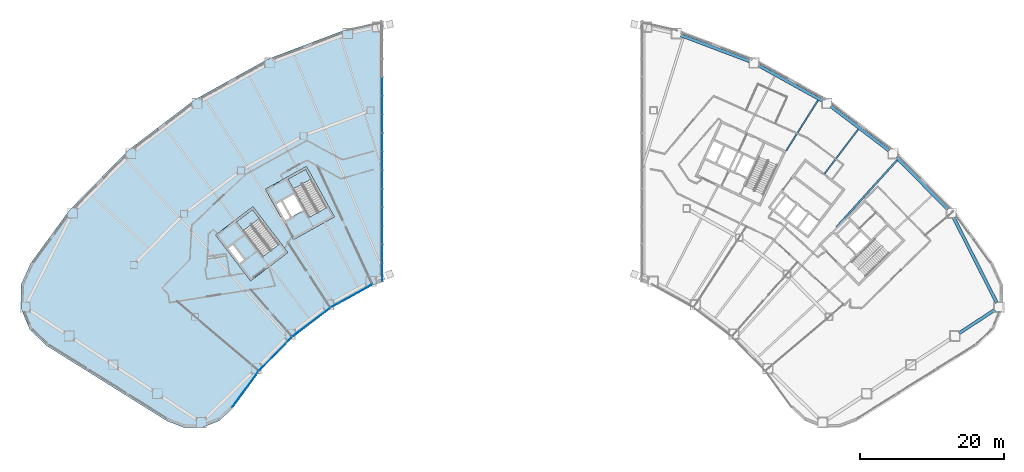
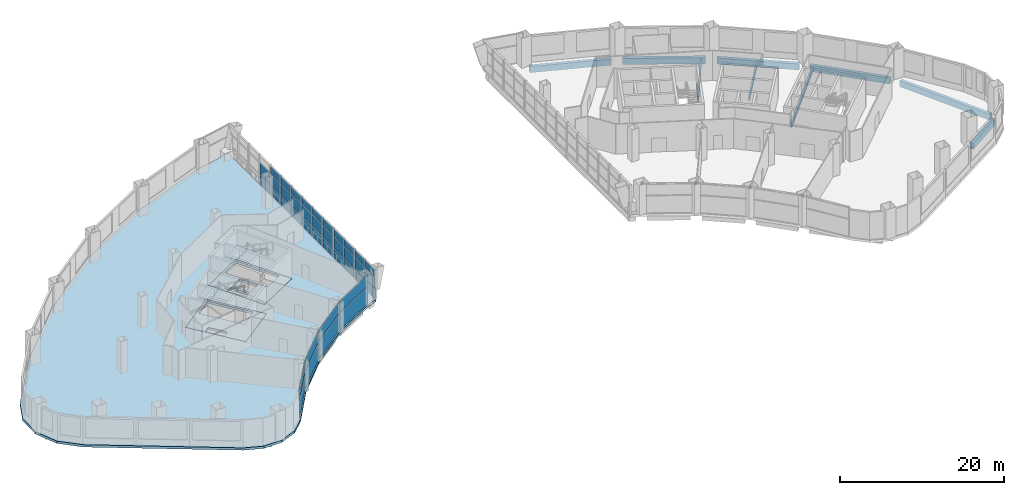
# One storey, part 16 of 26: 40 plates, 9 beams, 5 slabs, 12 elements without a shape of their own.
"""IFC4 building model written with IfcOpenShell, lengths in metres."""

import ifcopenshell
import ifcopenshell.guid

model = None  # the IFC model being written
_history = None  # IfcOwnerHistory: only IFC2X3 demands one
_inside = {}  # id of a spatial element -> (the spatial element, [elements in it])
_under = {}  # id of a project, library or spatial element -> (it, [spatial elements below it])
_declared = {}  # id of a project -> (the project, [libraries it declares])
_typed = {}  # id of a type object -> (the type object, [elements of that type])
_made_of = {}  # id of a material, layer set ... -> (it, [elements and type objects made of it])


def new_model(schema):
    """Start an empty IFC model of exactly this schema.

    Asked for "IFC4X3", IfcOpenShell would pick the latest addendum, in which some entities
    have other attributes; the version numbers below select the first issue.
    IFC2X3 requires an IfcOwnerHistory on every rooted entity: one is made here for all.
    """
    global model, _history
    if schema == "IFC4X3":
        model = ifcopenshell.file(schema_version=(4, 3, 0, 0))
    else:
        model = ifcopenshell.file(schema=schema)
    _inside.clear()
    _under.clear()
    _declared.clear()
    _typed.clear()
    _made_of.clear()
    _history = None
    if model.schema == "IFC2X3":
        org = make("IfcOrganization", Name="unknown")
        user = make(
            "IfcPersonAndOrganization",
            ThePerson=make("IfcPerson", FamilyName="unknown"),
            TheOrganization=org,
        )
        app = make(
            "IfcApplication",
            ApplicationDeveloper=org,
            Version="unknown",
            ApplicationFullName="unknown",
            ApplicationIdentifier="unknown",
        )
        _history = make(
            "IfcOwnerHistory",
            OwningUser=user,
            OwningApplication=app,
            ChangeAction="ADDED",
            CreationDate=0,
        )
    return model


def make(cls, **values):
    """One entity of the class cls with the attributes given. An attribute that is None is left unset."""
    return model.create_entity(
        cls, **{name: value for name, value in values.items() if value is not None}
    )


def rooted(cls, **values):
    """An entity with a GlobalId (a new one), such as an element, a storey or a relation."""
    return make(cls, GlobalId=ifcopenshell.guid.new(), OwnerHistory=_history, **values)


def si_unit(unit_type, name, prefix=None):
    """IfcSIUnit, for example si_unit("LENGTHUNIT", "METRE", prefix="MILLI")."""
    return make("IfcSIUnit", UnitType=unit_type, Prefix=prefix, Name=name)


def assignment(units):
    """IfcUnitAssignment: the units of a project."""
    return None if units is None else make("IfcUnitAssignment", Units=units)


def point(xyz):
    """IfcCartesianPoint."""
    return None if xyz is None else make("IfcCartesianPoint", Coordinates=xyz)


def direction(xyz):
    """IfcDirection."""
    return None if xyz is None else make("IfcDirection", DirectionRatios=xyz)


def frame(location, z_axis=None, x_axis=None):
    """IfcAxis2Placement3D, a coordinate frame: its origin and axes. An axis left out is left unset."""
    return make(
        "IfcAxis2Placement3D",
        Location=point(location),
        Axis=direction(z_axis),
        RefDirection=direction(x_axis),
    )


def frame_2d(location, x_axis=None):
    """IfcAxis2Placement2D, a coordinate frame in the plane: its origin and x axis."""
    return make(
        "IfcAxis2Placement2D", Location=point(location), RefDirection=direction(x_axis)
    )


def origin():
    """The frame at (0, 0, 0) with its axes left unset."""
    return frame((0.0, 0.0, 0.0))


def origin_2d():
    """The frame at (0, 0) in the plane with its x axis left unset."""
    return frame_2d((0.0, 0.0))


def place(relative_to, where):
    """IfcLocalPlacement: puts the frame where relative to a parent placement (None: the world)."""
    return make(
        "IfcLocalPlacement", PlacementRelTo=relative_to, RelativePlacement=where
    )


def context(
    kind, dimensions, precision=None, world=None, true_north=None, identifier=None
):
    """IfcGeometricRepresentationContext, for example the 3D "Model" context."""
    return make(
        "IfcGeometricRepresentationContext",
        ContextIdentifier=identifier,
        ContextType=kind,
        CoordinateSpaceDimension=dimensions,
        Precision=precision,
        WorldCoordinateSystem=world,
        TrueNorth=true_north,
    )


def subcontext(parent, identifier, kind, view, scale=None):
    """IfcGeometricRepresentationSubContext, for example "Body" below "Model"."""
    return make(
        "IfcGeometricRepresentationSubContext",
        ContextIdentifier=identifier,
        ContextType=kind,
        ParentContext=parent,
        TargetScale=scale,
        TargetView=view,
    )


def project(units=None, contexts=None):
    """IfcProject with its units and contexts."""
    return rooted(
        "IfcProject",
        Name="project",
        RepresentationContexts=contexts,
        UnitsInContext=assignment(units),
    )


def spatial(cls, under=None, at=None, **own):
    """A site, building, storey or space (cls), placed at a placement, below another one or the project."""
    s = rooted(cls, ObjectPlacement=at, **own)
    if under is not None:
        _under.setdefault(under.id(), (under, []))[1].append(s)
    return s


def polyline(points):
    """IfcPolyline through the points."""
    return make("IfcPolyline", Points=[point(p) for p in points])


def profile(cls, at=None, kind="AREA", **sizes):
    """A parametric profile (cls). Its sizes go by their IFC names, for example OverallWidth=200.0."""
    return make(cls, ProfileType=kind, Position=at, **sizes)


def rectangle(**sizes):
    """IfcRectangleProfileDef."""
    return profile("IfcRectangleProfileDef", **sizes)


def hollow_rectangle(**sizes):
    """IfcRectangleHollowProfileDef."""
    return profile("IfcRectangleHollowProfileDef", **sizes)


def i_section(**sizes):
    """IfcIShapeProfileDef."""
    return profile("IfcIShapeProfileDef", **sizes)


def outline(outer, holes=None, kind="AREA"):
    """IfcArbitraryClosedProfileDef: a profile drawn as a closed curve; with holes, ...WithVoids."""
    if holes is None:
        return make("IfcArbitraryClosedProfileDef", ProfileType=kind, OuterCurve=outer)
    return make(
        "IfcArbitraryProfileDefWithVoids",
        ProfileType=kind,
        OuterCurve=outer,
        InnerCurves=holes,
    )


def extrude(swept, where, along, depth):
    """IfcExtrudedAreaSolid: the profile swept, set in the frame where, extruded along a direction by depth."""
    return make(
        "IfcExtrudedAreaSolid",
        SweptArea=swept,
        Position=where,
        ExtrudedDirection=direction(along),
        Depth=depth,
    )


def shape(context_of_items, identifier, shape_type, items):
    """IfcShapeRepresentation: the items that make up one representation, for example the "Body"."""
    return make(
        "IfcShapeRepresentation",
        ContextOfItems=context_of_items,
        RepresentationIdentifier=identifier,
        RepresentationType=shape_type,
        Items=items,
    )


def material(Name=None, Category=None):
    """IfcMaterial."""
    return make("IfcMaterial", Name=Name, Category=Category)


def layer(
    of_material, thickness, ventilated=None, Name=None, Category=None, Priority=None
):
    """IfcMaterialLayer: one layer of a wall or slab, of a material (None: an air gap)."""
    return make(
        "IfcMaterialLayer",
        Material=of_material,
        LayerThickness=thickness,
        IsVentilated=ventilated,
        Name=Name,
        Category=Category,
        Priority=Priority,
    )


def layer_set(layers, Name=None):
    """IfcMaterialLayerSet."""
    return make("IfcMaterialLayerSet", MaterialLayers=layers, LayerSetName=Name)


def material_profile(
    of_material, cross_section, Name=None, Category=None, Priority=None
):
    """IfcMaterialProfile: a cross section and its material."""
    return make(
        "IfcMaterialProfile",
        Name=Name,
        Material=of_material,
        Profile=cross_section,
        Priority=Priority,
        Category=Category,
    )


def profile_set(profiles, Name=None, composite=None):
    """IfcMaterialProfileSet."""
    return make(
        "IfcMaterialProfileSet",
        Name=Name,
        MaterialProfiles=profiles,
        CompositeProfile=composite,
    )


def made_of(thing, what):
    """Note that an element or type object is made of a material, layer set ...; save() writes the relation."""
    if what is not None:
        _made_of.setdefault(what.id(), (what, []))[1].append(thing)
    return thing


def type_object(cls, material=None, **own):
    """A type object (cls), such as IfcWallType, which elements share."""
    return made_of(rooted(cls, **own), material)


def element(
    cls,
    number,
    at=None,
    inside=None,
    cuts=None,
    type_object=None,
    material=None,
    context=None,
    identifier="Body",
    shape_type=None,
    held_by="IfcProductDefinitionShape",
    body=None,
    shapes=None,
    **own,
):
    """One element of the class cls, such as IfcWall. Its Tag is "e" and its number.

    at: its placement. inside: the storey or other place that contains it. cuts: it is an
    opening in that element (IfcRelVoidsElement). A single representation is given by context,
    identifier, shape_type and body (its items); several are given by shapes. held_by: the class
    of the entity that holds the representations. save() writes the other relations.
    """
    e = rooted(cls, Tag="e%d" % number, ObjectPlacement=at, **own)
    if body is not None:
        shapes = [shape(context, identifier, shape_type, body)]
    if shapes is not None:
        e.Representation = make(held_by, Representations=shapes)
    if inside is not None:
        _inside.setdefault(inside.id(), (inside, []))[1].append(e)
    if cuts is not None:
        rooted(
            "IfcRelVoidsElement", RelatingBuildingElement=cuts, RelatedOpeningElement=e
        )
    if type_object is not None:
        _typed.setdefault(type_object.id(), (type_object, []))[1].append(e)
    return made_of(e, material)


def aggregate(whole, parts):
    """IfcRelAggregates: a whole, such as a stair, and the parts it consists of."""
    return rooted("IfcRelAggregates", RelatingObject=whole, RelatedObjects=parts)


def save(model, path):
    """Write the relations noted so far, then the file.

    IfcRelAggregates (storeys below a building ...), IfcRelContainedInSpatialStructure (elements
    in a storey), IfcRelDefinesByType, IfcRelAssociatesMaterial and IfcRelDeclares: one each for
    every whole, place, type object, material and project.
    """
    for whole, parts in _under.values():
        aggregate(whole, parts)
    for where, things in _inside.values():
        rooted(
            "IfcRelContainedInSpatialStructure",
            RelatedElements=things,
            RelatingStructure=where,
        )
    for kind, things in _typed.values():
        rooted("IfcRelDefinesByType", RelatedObjects=things, RelatingType=kind)
    for what, things in _made_of.values():
        rooted("IfcRelAssociatesMaterial", RelatedObjects=things, RelatingMaterial=what)
    for by, libraries in _declared.values():
        rooted("IfcRelDeclares", RelatingContext=by, RelatedDefinitions=libraries)
    model.write(path)


model = new_model("IFC4")

# Units and contexts
model_context = context("Model", 3, precision=1e-05, world=origin(), true_north=direction((0.0, 1.0)))
body_context = subcontext(model_context, "Body", "Model", "MODEL_VIEW")
ifc_project = project(units=[si_unit("LENGTHUNIT", "METRE"), si_unit("AREAUNIT", "SQUARE_METRE"), si_unit("VOLUMEUNIT", "CUBIC_METRE"), si_unit("PLANEANGLEUNIT", "RADIAN"), si_unit("MASSUNIT", "GRAM", prefix="KILO")], contexts=[model_context])

# Site, building, storey
site_placement = place(None, origin())
site = spatial("IfcSite", under=ifc_project, at=site_placement, CompositionType="ELEMENT")
building_placement = place(site_placement, origin())
building = spatial("IfcBuilding", under=site, at=building_placement, Name="Tuul Gate Civic Tower", CompositionType="ELEMENT")
storey_placement = place(building_placement, frame((0.0, 0.0, 7.5)))
storey = spatial("IfcBuildingStorey", under=building, at=storey_placement, Name="Level 01", CompositionType="ELEMENT", Elevation=7.5)

# Beams
ifc_material_1 = material(Name="Steel S355", Category="steel")
ifc_material_profile_1 = material_profile(ifc_material_1, i_section(OverallWidth=0.199951171875, OverallDepth=0.5, WebThickness=0.010009765625, FlangeThickness=0.01611328125, at=origin_2d()), Name="PG500x200x10x16")
ifc_profile_set_1 = profile_set([ifc_material_profile_1], Name="Steel S355")
beam_type_1 = type_object("IfcBeamType", Name="STR-FLOOR BEAM-PG500x200x10x16", PredefinedType="BEAM", material=ifc_profile_set_1)
beam_1_placement = place(storey_placement, frame((43.373779296875, -2.84375, -0.60009765625), z_axis=(0.604512693182, 0.796595508261, 0.0), x_axis=(-0.796595508261, 0.604512693182, 0.0)))
element("IfcBeam", 1, at=beam_1_placement, inside=storey, type_object=beam_type_1, Name="Floor beam", PredefinedType="BEAM", context=body_context, shape_type="SweptSolid", body=[
    extrude(i_section(OverallWidth=0.199951171875, OverallDepth=0.5, WebThickness=0.010009765625, FlangeThickness=0.01611328125, at=origin_2d()), origin(), (0.0, 0.0, 1.0), 7.704833984375),
])
beam_2_placement = place(storey_placement, frame((38.0400390625, 0.325927734375, -0.60009765625), z_axis=(0.53337261638, 0.845880400586, 0.0), x_axis=(-0.845880400586, 0.53337261638, 0.0)))
element("IfcBeam", 2, at=beam_2_placement, inside=storey, type_object=beam_type_1, Name="Floor beam", PredefinedType="BEAM", context=body_context, shape_type="SweptSolid", body=[
    extrude(i_section(OverallWidth=0.199951171875, OverallDepth=0.5, WebThickness=0.010009765625, FlangeThickness=0.01611328125, at=origin_2d()), origin(), (0.0, 0.0, 1.0), 8.263916015625),
])
ifc_material_2 = material(Name="Steel S355", Category="steel")
ifc_material_profile_2 = material_profile(ifc_material_2, i_section(OverallWidth=0.25, OverallDepth=0.64990234375, WebThickness=0.011962890625, FlangeThickness=0.02001953125, at=origin_2d()), Name="PG650x250x12x20")
ifc_profile_set_2 = profile_set([ifc_material_profile_2], Name="Steel S355")
beam_type_2 = type_object("IfcBeamType", Name="STR-FLOOR BEAM-PG650x250x12x20", PredefinedType="BEAM", material=ifc_profile_set_2)
beam_3_placement = place(storey_placement, frame((45.019775390625, -10.267578125, -0.675048828125), z_axis=(0.671117634609, 0.741350875441, 0.0), x_axis=(-0.741350875441, 0.671117634609, 0.0)))
element("IfcBeam", 3, at=beam_3_placement, inside=storey, type_object=beam_type_2, Name="Floor beam", PredefinedType="BEAM", context=body_context, shape_type="SweptSolid", body=[
    extrude(i_section(OverallWidth=0.25, OverallDepth=0.64990234375, WebThickness=0.011962890625, FlangeThickness=0.02001953125, at=origin_2d()), origin(), (0.0, 0.0, 1.0), 12.51416015625),
])
ifc_material_3 = material(Name="Steel S355", Category="steel")
ifc_material_profile_3 = material_profile(ifc_material_3, hollow_rectangle(XDim=0.449951171875, YDim=0.89990234375, WallThickness=0.02490234375, at=origin_2d()), Name="BOX900x450x25")
ifc_profile_set_3 = profile_set([ifc_material_profile_3], Name="Steel S355")
beam_type_3 = type_object("IfcBeamType", Name="STR-SPANDREL BEAM-BOX900x450x25", PredefinedType="BEAM", material=ifc_profile_set_3)
beam_4_placement = place(storey_placement, frame((67.245849609375, -20.742431640625, -0.800048828125), z_axis=(-0.451678979782, 0.892180530623, 0.0), x_axis=(-0.892180530623, -0.451678979782, 0.0)))
element("IfcBeam", 4, at=beam_4_placement, inside=storey, type_object=beam_type_3, Name="Spandrel beam", PredefinedType="BEAM", context=body_context, shape_type="SweptSolid", body=[
    extrude(hollow_rectangle(XDim=0.449951171875, YDim=0.89990234375, WallThickness=0.02490234375, at=origin_2d()), origin(), (0.0, 0.0, 1.0), 13.214599609375),
])
beam_5_placement = place(storey_placement, frame((60.470947265625, -7.828125, -0.800048828125), z_axis=(-0.700009826077, 0.714133211239, 0.0), x_axis=(-0.714133211239, -0.700009826077, 0.0)))
element("IfcBeam", 5, at=beam_5_placement, inside=storey, type_object=beam_type_3, Name="Spandrel beam", PredefinedType="BEAM", context=body_context, shape_type="SweptSolid", body=[
    extrude(hollow_rectangle(XDim=0.449951171875, YDim=0.89990234375, WallThickness=0.02490234375, at=origin_2d()), origin(), (0.0, 0.0, 1.0), 10.14697265625),
])
for number, where, z_axis, x_axis, name in (
    (6, (52.321044921875, 0.342041015625, -0.800048828125), (-0.795616160285, 0.605801060987, 0.0), (-0.605801060987, -0.795616160285, 0.0), "Spandrel beam"),
    (7, (43.078857421875, 7.25244140625, -0.800048828125), (-0.874621074476, 0.484807153497, 0.0), (-0.484807153497, -0.874621074476, 0.0), "Spandrel beam"),
):
    element("IfcBeam", number, at=place(storey_placement, frame(where, z_axis=z_axis, x_axis=x_axis)), inside=storey, type_object=beam_type_3, Name=name, PredefinedType="BEAM", context=body_context, shape_type="SweptSolid", body=[
        extrude(hollow_rectangle(XDim=0.449951171875, YDim=0.89990234375, WallThickness=0.02490234375, at=origin_2d()), origin(), (0.0, 0.0, 1.0), 10.146728515625),
    ])
beam_6_placement = place(storey_placement, frame((32.937255859375, 12.758544921875, -0.800048828125), z_axis=(-0.935355549891, 0.353708913215, 0.0), x_axis=(-0.353708913215, -0.935355549891, 0.0)))
element("IfcBeam", 8, at=beam_6_placement, inside=storey, type_object=beam_type_3, Name="Spandrel beam", PredefinedType="BEAM", context=body_context, shape_type="SweptSolid", body=[
    extrude(hollow_rectangle(XDim=0.449951171875, YDim=0.89990234375, WallThickness=0.02490234375, at=origin_2d()), origin(), (0.0, 0.0, 1.0), 10.146484375),
])
beam_7_placement = place(storey_placement, frame((62.03271484375, -24.985595703125, -0.800048828125), z_axis=(0.836737319566, 0.547604472265, 0.0), x_axis=(-0.547604472265, 0.836737319566, 0.0)))
element("IfcBeam", 9, at=beam_7_placement, inside=storey, type_object=beam_type_3, Name="Spandrel beam", PredefinedType="BEAM", context=body_context, shape_type="SweptSolid", body=[
    extrude(hollow_rectangle(XDim=0.449951171875, YDim=0.89990234375, WallThickness=0.02490234375, at=origin_2d()), origin(), (0.0, 0.0, 1.0), 5.908203125),
])

# Curtain wall, plates
ifc_material_4 = material(Name="Stainless steel", Category="steel")
ifc_layer_1 = layer(ifc_material_4, 0.199951171875)
ifc_layer_set_1 = layer_set([ifc_layer_1], Name="Stainless steel")
curtain_wall_type_1 = type_object("IfcCurtainWallType", Name="Curtain wall CW2", PredefinedType="NOTDEFINED", material=ifc_layer_set_1)
curtain_wall_1_placement = place(storey_placement, origin())
curtain_wall_1 = element("IfcCurtainWall", 10, at=curtain_wall_1_placement, inside=storey, type_object=curtain_wall_type_1, Name="Curtain wall CW2", PredefinedType="NOTDEFINED")
ifc_material_5 = material(Name="Laminated glass", Category="glass")
ifc_layer_2 = layer(ifc_material_5, 0.0439453125)
ifc_layer_set_2 = layer_set([ifc_layer_2], Name="Laminated glass")
plate_type_1 = type_object("IfcPlateType", Name="CW2 panel", PredefinedType="CURTAIN_PANEL", material=ifc_layer_set_2)
plate_1_placement = place(storey_placement, frame((-18.0, -16.526611328125, 0.080078125), z_axis=(0.0, 0.0, 1.0), x_axis=(0.0, 1.0, 0.0)))
plate_1 = element("IfcPlate", 11, at=plate_1_placement, type_object=plate_type_1, Name="Panel", PredefinedType="CURTAIN_PANEL", context=body_context, shape_type="SweptSolid", body=[
    extrude(rectangle(XDim=2.458740234375, YDim=0.0439453125, at=origin_2d()), origin(), (0.0, 0.0, 1.0), 1.3798828125),
])
plate_2_placement = place(storey_placement, frame((-18.0, -16.526611328125, 1.5400390625), z_axis=(0.0, 0.0, 1.0), x_axis=(0.0, 1.0, 0.0)))
plate_2 = element("IfcPlate", 12, at=plate_2_placement, type_object=plate_type_1, Name="Panel", PredefinedType="CURTAIN_PANEL", context=body_context, shape_type="SweptSolid", body=[
    extrude(rectangle(XDim=2.458740234375, YDim=0.0439453125, at=origin_2d()), origin(), (0.0, 0.0, 1.0), 1.719970703125),
])
plate_3_placement = place(storey_placement, frame((-18.0, -16.526611328125, 3.33984375), z_axis=(0.0, 0.0, 1.0), x_axis=(0.0, 1.0, 0.0)))
plate_3 = element("IfcPlate", 13, at=plate_3_placement, type_object=plate_type_1, Name="Panel", PredefinedType="CURTAIN_PANEL", context=body_context, shape_type="SweptSolid", body=[
    extrude(rectangle(XDim=2.458740234375, YDim=0.0439453125, at=origin_2d()), origin(), (0.0, 0.0, 1.0), 1.030029296875),
])
plate_4_placement = place(storey_placement, frame((-18.0, -13.988037109375, 0.080078125), z_axis=(0.0, 0.0, 1.0), x_axis=(0.0, 1.0, 0.0)))
plate_4 = element("IfcPlate", 14, at=plate_4_placement, type_object=plate_type_1, Name="Panel", PredefinedType="CURTAIN_PANEL", context=body_context, shape_type="SweptSolid", body=[
    extrude(rectangle(XDim=2.458740234375, YDim=0.0439453125, at=origin_2d()), origin(), (0.0, 0.0, 1.0), 1.3798828125),
])
plate_5_placement = place(storey_placement, frame((-18.0, -13.988037109375, 1.5400390625), z_axis=(0.0, 0.0, 1.0), x_axis=(0.0, 1.0, 0.0)))
plate_5 = element("IfcPlate", 15, at=plate_5_placement, type_object=plate_type_1, Name="Panel", PredefinedType="CURTAIN_PANEL", context=body_context, shape_type="SweptSolid", body=[
    extrude(rectangle(XDim=2.458740234375, YDim=0.0439453125, at=origin_2d()), origin(), (0.0, 0.0, 1.0), 1.719970703125),
])
plate_6_placement = place(storey_placement, frame((-18.0, -13.988037109375, 3.33984375), z_axis=(0.0, 0.0, 1.0), x_axis=(0.0, 1.0, 0.0)))
plate_6 = element("IfcPlate", 16, at=plate_6_placement, type_object=plate_type_1, Name="Panel", PredefinedType="CURTAIN_PANEL", context=body_context, shape_type="SweptSolid", body=[
    extrude(rectangle(XDim=2.458740234375, YDim=0.0439453125, at=origin_2d()), origin(), (0.0, 0.0, 1.0), 1.030029296875),
])
aggregate(curtain_wall_1, [plate_1, plate_2, plate_3, plate_4, plate_5, plate_6])

curtain_wall_2_placement = place(storey_placement, origin())
curtain_wall_2 = element("IfcCurtainWall", 17, at=curtain_wall_2_placement, inside=storey, type_object=curtain_wall_type_1, Name="Curtain wall CW2", PredefinedType="NOTDEFINED")
plate_7_placement = place(storey_placement, frame((-18.0, -11.369384765625, 0.080078125), z_axis=(0.0, 0.0, 1.0), x_axis=(0.0, 1.0, 0.0)))
plate_7 = element("IfcPlate", 18, at=plate_7_placement, type_object=plate_type_1, Name="Panel", PredefinedType="CURTAIN_PANEL", context=body_context, shape_type="SweptSolid", body=[
    extrude(rectangle(XDim=2.458740234375, YDim=0.0439453125, at=origin_2d()), origin(), (0.0, 0.0, 1.0), 1.3798828125),
])
plate_8_placement = place(storey_placement, frame((-18.0, -11.369384765625, 1.5400390625), z_axis=(0.0, 0.0, 1.0), x_axis=(0.0, 1.0, 0.0)))
plate_8 = element("IfcPlate", 19, at=plate_8_placement, type_object=plate_type_1, Name="Panel", PredefinedType="CURTAIN_PANEL", context=body_context, shape_type="SweptSolid", body=[
    extrude(rectangle(XDim=2.458740234375, YDim=0.0439453125, at=origin_2d()), origin(), (0.0, 0.0, 1.0), 1.719970703125),
])
plate_9_placement = place(storey_placement, frame((-18.0, -11.369384765625, 3.33984375), z_axis=(0.0, 0.0, 1.0), x_axis=(0.0, 1.0, 0.0)))
plate_9 = element("IfcPlate", 20, at=plate_9_placement, type_object=plate_type_1, Name="Panel", PredefinedType="CURTAIN_PANEL", context=body_context, shape_type="SweptSolid", body=[
    extrude(rectangle(XDim=2.458740234375, YDim=0.0439453125, at=origin_2d()), origin(), (0.0, 0.0, 1.0), 1.030029296875),
])
plate_10_placement = place(storey_placement, frame((-18.0, -8.830810546875, 0.080078125), z_axis=(0.0, 0.0, 1.0), x_axis=(0.0, 1.0, 0.0)))
plate_10 = element("IfcPlate", 21, at=plate_10_placement, type_object=plate_type_1, Name="Panel", PredefinedType="CURTAIN_PANEL", context=body_context, shape_type="SweptSolid", body=[
    extrude(rectangle(XDim=2.458740234375, YDim=0.0439453125, at=origin_2d()), origin(), (0.0, 0.0, 1.0), 1.3798828125),
])
plate_11_placement = place(storey_placement, frame((-18.0, -8.830810546875, 1.5400390625), z_axis=(0.0, 0.0, 1.0), x_axis=(0.0, 1.0, 0.0)))
plate_11 = element("IfcPlate", 22, at=plate_11_placement, type_object=plate_type_1, Name="Panel", PredefinedType="CURTAIN_PANEL", context=body_context, shape_type="SweptSolid", body=[
    extrude(rectangle(XDim=2.458740234375, YDim=0.0439453125, at=origin_2d()), origin(), (0.0, 0.0, 1.0), 1.719970703125),
])
plate_12_placement = place(storey_placement, frame((-18.0, -8.830810546875, 3.33984375), z_axis=(0.0, 0.0, 1.0), x_axis=(0.0, 1.0, 0.0)))
plate_12 = element("IfcPlate", 23, at=plate_12_placement, type_object=plate_type_1, Name="Panel", PredefinedType="CURTAIN_PANEL", context=body_context, shape_type="SweptSolid", body=[
    extrude(rectangle(XDim=2.458740234375, YDim=0.0439453125, at=origin_2d()), origin(), (0.0, 0.0, 1.0), 1.030029296875),
])
aggregate(curtain_wall_2, [plate_7, plate_8, plate_9, plate_10, plate_11, plate_12])

curtain_wall_3_placement = place(storey_placement, origin())
curtain_wall_3 = element("IfcCurtainWall", 24, at=curtain_wall_3_placement, inside=storey, type_object=curtain_wall_type_1, Name="Curtain wall CW2", PredefinedType="NOTDEFINED")
plate_13_placement = place(storey_placement, frame((-18.0, -6.212158203125, 0.080078125), z_axis=(0.0, 0.0, 1.0), x_axis=(0.0, 1.0, 0.0)))
plate_13 = element("IfcPlate", 25, at=plate_13_placement, type_object=plate_type_1, Name="Panel", PredefinedType="CURTAIN_PANEL", context=body_context, shape_type="SweptSolid", body=[
    extrude(rectangle(XDim=2.458740234375, YDim=0.0439453125, at=origin_2d()), origin(), (0.0, 0.0, 1.0), 1.3798828125),
])
plate_14_placement = place(storey_placement, frame((-18.0, -6.212158203125, 1.5400390625), z_axis=(0.0, 0.0, 1.0), x_axis=(0.0, 1.0, 0.0)))
plate_14 = element("IfcPlate", 26, at=plate_14_placement, type_object=plate_type_1, Name="Panel", PredefinedType="CURTAIN_PANEL", context=body_context, shape_type="SweptSolid", body=[
    extrude(rectangle(XDim=2.458740234375, YDim=0.0439453125, at=origin_2d()), origin(), (0.0, 0.0, 1.0), 1.719970703125),
])
plate_15_placement = place(storey_placement, frame((-18.0, -6.212158203125, 3.33984375), z_axis=(0.0, 0.0, 1.0), x_axis=(0.0, 1.0, 0.0)))
plate_15 = element("IfcPlate", 27, at=plate_15_placement, type_object=plate_type_1, Name="Panel", PredefinedType="CURTAIN_PANEL", context=body_context, shape_type="SweptSolid", body=[
    extrude(rectangle(XDim=2.458740234375, YDim=0.0439453125, at=origin_2d()), origin(), (0.0, 0.0, 1.0), 1.030029296875),
])
plate_16_placement = place(storey_placement, frame((-18.0, -3.673583984375, 0.080078125), z_axis=(0.0, 0.0, 1.0), x_axis=(0.0, 1.0, 0.0)))
plate_16 = element("IfcPlate", 28, at=plate_16_placement, type_object=plate_type_1, Name="Panel", PredefinedType="CURTAIN_PANEL", context=body_context, shape_type="SweptSolid", body=[
    extrude(rectangle(XDim=2.458740234375, YDim=0.0439453125, at=origin_2d()), origin(), (0.0, 0.0, 1.0), 1.3798828125),
])
plate_17_placement = place(storey_placement, frame((-18.0, -3.673583984375, 1.5400390625), z_axis=(0.0, 0.0, 1.0), x_axis=(0.0, 1.0, 0.0)))
plate_17 = element("IfcPlate", 29, at=plate_17_placement, type_object=plate_type_1, Name="Panel", PredefinedType="CURTAIN_PANEL", context=body_context, shape_type="SweptSolid", body=[
    extrude(rectangle(XDim=2.458740234375, YDim=0.0439453125, at=origin_2d()), origin(), (0.0, 0.0, 1.0), 1.719970703125),
])
plate_18_placement = place(storey_placement, frame((-18.0, -3.673583984375, 3.33984375), z_axis=(0.0, 0.0, 1.0), x_axis=(0.0, 1.0, 0.0)))
plate_18 = element("IfcPlate", 30, at=plate_18_placement, type_object=plate_type_1, Name="Panel", PredefinedType="CURTAIN_PANEL", context=body_context, shape_type="SweptSolid", body=[
    extrude(rectangle(XDim=2.458740234375, YDim=0.0439453125, at=origin_2d()), origin(), (0.0, 0.0, 1.0), 1.030029296875),
])
aggregate(curtain_wall_3, [plate_13, plate_14, plate_15, plate_16, plate_17, plate_18])

curtain_wall_4_placement = place(storey_placement, origin())
curtain_wall_4 = element("IfcCurtainWall", 31, at=curtain_wall_4_placement, inside=storey, type_object=curtain_wall_type_1, Name="Curtain wall CW2", PredefinedType="NOTDEFINED")
plate_19_placement = place(storey_placement, frame((-18.0, -1.054931640625, 0.080078125), z_axis=(0.0, 0.0, 1.0), x_axis=(0.0, 1.0, 0.0)))
plate_19 = element("IfcPlate", 32, at=plate_19_placement, type_object=plate_type_1, Name="Panel", PredefinedType="CURTAIN_PANEL", context=body_context, shape_type="SweptSolid", body=[
    extrude(rectangle(XDim=2.458740234375, YDim=0.0439453125, at=origin_2d()), origin(), (0.0, 0.0, 1.0), 1.3798828125),
])
plate_20_placement = place(storey_placement, frame((-18.0, -1.054931640625, 1.5400390625), z_axis=(0.0, 0.0, 1.0), x_axis=(0.0, 1.0, 0.0)))
plate_20 = element("IfcPlate", 33, at=plate_20_placement, type_object=plate_type_1, Name="Panel", PredefinedType="CURTAIN_PANEL", context=body_context, shape_type="SweptSolid", body=[
    extrude(rectangle(XDim=2.458740234375, YDim=0.0439453125, at=origin_2d()), origin(), (0.0, 0.0, 1.0), 1.719970703125),
])
plate_21_placement = place(storey_placement, frame((-18.0, -1.054931640625, 3.33984375), z_axis=(0.0, 0.0, 1.0), x_axis=(0.0, 1.0, 0.0)))
plate_21 = element("IfcPlate", 34, at=plate_21_placement, type_object=plate_type_1, Name="Panel", PredefinedType="CURTAIN_PANEL", context=body_context, shape_type="SweptSolid", body=[
    extrude(rectangle(XDim=2.458740234375, YDim=0.0439453125, at=origin_2d()), origin(), (0.0, 0.0, 1.0), 1.030029296875),
])
plate_22_placement = place(storey_placement, frame((-18.0, 1.48388671875, 0.080078125), z_axis=(0.0, 0.0, 1.0), x_axis=(0.0, 1.0, 0.0)))
plate_22 = element("IfcPlate", 35, at=plate_22_placement, type_object=plate_type_1, Name="Panel", PredefinedType="CURTAIN_PANEL", context=body_context, shape_type="SweptSolid", body=[
    extrude(rectangle(XDim=2.458740234375, YDim=0.0439453125, at=origin_2d()), origin(), (0.0, 0.0, 1.0), 1.3798828125),
])
plate_23_placement = place(storey_placement, frame((-18.0, 1.48388671875, 1.5400390625), z_axis=(0.0, 0.0, 1.0), x_axis=(0.0, 1.0, 0.0)))
plate_23 = element("IfcPlate", 36, at=plate_23_placement, type_object=plate_type_1, Name="Panel", PredefinedType="CURTAIN_PANEL", context=body_context, shape_type="SweptSolid", body=[
    extrude(rectangle(XDim=2.458740234375, YDim=0.0439453125, at=origin_2d()), origin(), (0.0, 0.0, 1.0), 1.719970703125),
])
plate_24_placement = place(storey_placement, frame((-18.0, 1.48388671875, 3.33984375), z_axis=(0.0, 0.0, 1.0), x_axis=(0.0, 1.0, 0.0)))
plate_24 = element("IfcPlate", 37, at=plate_24_placement, type_object=plate_type_1, Name="Panel", PredefinedType="CURTAIN_PANEL", context=body_context, shape_type="SweptSolid", body=[
    extrude(rectangle(XDim=2.458740234375, YDim=0.0439453125, at=origin_2d()), origin(), (0.0, 0.0, 1.0), 1.030029296875),
])
aggregate(curtain_wall_4, [plate_19, plate_20, plate_21, plate_22, plate_23, plate_24])

curtain_wall_5_placement = place(storey_placement, origin())
curtain_wall_5 = element("IfcCurtainWall", 38, at=curtain_wall_5_placement, inside=storey, type_object=curtain_wall_type_1, Name="Curtain wall CW2", PredefinedType="NOTDEFINED")
plate_25_placement = place(storey_placement, frame((-18.0, 4.1025390625, 0.080078125), z_axis=(0.0, 0.0, 1.0), x_axis=(0.0, 1.0, 0.0)))
plate_25 = element("IfcPlate", 39, at=plate_25_placement, type_object=plate_type_1, Name="Panel", PredefinedType="CURTAIN_PANEL", context=body_context, shape_type="SweptSolid", body=[
    extrude(rectangle(XDim=2.458740234375, YDim=0.0439453125, at=origin_2d()), origin(), (0.0, 0.0, 1.0), 1.3798828125),
])
plate_26_placement = place(storey_placement, frame((-18.0, 4.1025390625, 1.5400390625), z_axis=(0.0, 0.0, 1.0), x_axis=(0.0, 1.0, 0.0)))
plate_26 = element("IfcPlate", 40, at=plate_26_placement, type_object=plate_type_1, Name="Panel", PredefinedType="CURTAIN_PANEL", context=body_context, shape_type="SweptSolid", body=[
    extrude(rectangle(XDim=2.458740234375, YDim=0.0439453125, at=origin_2d()), origin(), (0.0, 0.0, 1.0), 1.719970703125),
])
plate_27_placement = place(storey_placement, frame((-18.0, 4.1025390625, 3.33984375), z_axis=(0.0, 0.0, 1.0), x_axis=(0.0, 1.0, 0.0)))
plate_27 = element("IfcPlate", 41, at=plate_27_placement, type_object=plate_type_1, Name="Panel", PredefinedType="CURTAIN_PANEL", context=body_context, shape_type="SweptSolid", body=[
    extrude(rectangle(XDim=2.458740234375, YDim=0.0439453125, at=origin_2d()), origin(), (0.0, 0.0, 1.0), 1.030029296875),
])
plate_28_placement = place(storey_placement, frame((-18.0, 6.64111328125, 0.080078125), z_axis=(0.0, 0.0, 1.0), x_axis=(0.0, 1.0, 0.0)))
plate_28 = element("IfcPlate", 42, at=plate_28_placement, type_object=plate_type_1, Name="Panel", PredefinedType="CURTAIN_PANEL", context=body_context, shape_type="SweptSolid", body=[
    extrude(rectangle(XDim=2.458740234375, YDim=0.0439453125, at=origin_2d()), origin(), (0.0, 0.0, 1.0), 1.3798828125),
])
plate_29_placement = place(storey_placement, frame((-18.0, 6.64111328125, 1.5400390625), z_axis=(0.0, 0.0, 1.0), x_axis=(0.0, 1.0, 0.0)))
plate_29 = element("IfcPlate", 43, at=plate_29_placement, type_object=plate_type_1, Name="Panel", PredefinedType="CURTAIN_PANEL", context=body_context, shape_type="SweptSolid", body=[
    extrude(rectangle(XDim=2.458740234375, YDim=0.0439453125, at=origin_2d()), origin(), (0.0, 0.0, 1.0), 1.719970703125),
])
plate_30_placement = place(storey_placement, frame((-18.0, 6.64111328125, 3.33984375), z_axis=(0.0, 0.0, 1.0), x_axis=(0.0, 1.0, 0.0)))
plate_30 = element("IfcPlate", 44, at=plate_30_placement, type_object=plate_type_1, Name="Panel", PredefinedType="CURTAIN_PANEL", context=body_context, shape_type="SweptSolid", body=[
    extrude(rectangle(XDim=2.458740234375, YDim=0.0439453125, at=origin_2d()), origin(), (0.0, 0.0, 1.0), 1.030029296875),
])
aggregate(curtain_wall_5, [plate_25, plate_26, plate_27, plate_28, plate_29, plate_30])

curtain_wall_6_placement = place(storey_placement, origin())
curtain_wall_6 = element("IfcCurtainWall", 45, at=curtain_wall_6_placement, inside=storey, type_object=curtain_wall_type_1, Name="Curtain wall CW2", PredefinedType="NOTDEFINED")
plate_31_placement = place(storey_placement, frame((-18.0, 9.259765625, 0.080078125), z_axis=(0.0, 0.0, 1.0), x_axis=(0.0, 1.0, 0.0)))
plate_31 = element("IfcPlate", 46, at=plate_31_placement, type_object=plate_type_1, Name="Panel", PredefinedType="CURTAIN_PANEL", context=body_context, shape_type="SweptSolid", body=[
    extrude(rectangle(XDim=2.458740234375, YDim=0.0439453125, at=origin_2d()), origin(), (0.0, 0.0, 1.0), 1.3798828125),
])
plate_32_placement = place(storey_placement, frame((-18.0, 9.259765625, 1.5400390625), z_axis=(0.0, 0.0, 1.0), x_axis=(0.0, 1.0, 0.0)))
plate_32 = element("IfcPlate", 47, at=plate_32_placement, type_object=plate_type_1, Name="Panel", PredefinedType="CURTAIN_PANEL", context=body_context, shape_type="SweptSolid", body=[
    extrude(rectangle(XDim=2.458740234375, YDim=0.0439453125, at=origin_2d()), origin(), (0.0, 0.0, 1.0), 1.719970703125),
])
aggregate(curtain_wall_6, [plate_31, plate_32])

ifc_material_6 = material(Name="Aluminium", Category="aluminium")
ifc_layer_3 = layer(ifc_material_6, 0.199951171875)
ifc_layer_set_3 = layer_set([ifc_layer_3], Name="Aluminium")
curtain_wall_type_2 = type_object("IfcCurtainWallType", Name="Curtain wall CW6", PredefinedType="NOTDEFINED", material=ifc_layer_set_3)
curtain_wall_7_placement = place(storey_placement, origin())
curtain_wall_7 = element("IfcCurtainWall", 48, at=curtain_wall_7_placement, inside=storey, type_object=curtain_wall_type_2, Name="Curtain wall CW6", PredefinedType="NOTDEFINED")
ifc_material_7 = material(Name="Insulated glass", Category="glass")
ifc_layer_4 = layer(ifc_material_7, 0.033935546875)
ifc_layer_set_4 = layer_set([ifc_layer_4], Name="Insulated glass")
plate_type_2 = type_object("IfcPlateType", Name="CW6 panel", PredefinedType="CURTAIN_PANEL", material=ifc_layer_set_4)
plate_33_placement = place(storey_placement, frame((-36.994384765625, -32.735595703125, 0.06005859375), z_axis=(0.0, 0.0, 1.0), x_axis=(0.589756302404, 0.807581267597, 0.0)))
plate_33 = element("IfcPlate", 49, at=plate_33_placement, type_object=plate_type_2, Name="Panel", PredefinedType="CURTAIN_PANEL", context=body_context, shape_type="SweptSolid", body=[
    extrude(rectangle(XDim=6.141845703125, YDim=0.033935546875, at=origin_2d()), origin(), (0.0, 0.0, 1.0), 2.610107421875),
])
plate_34_placement = place(storey_placement, frame((-36.994384765625, -32.735595703125, 2.72998046875), z_axis=(0.0, 0.0, 1.0), x_axis=(0.589756302404, 0.807581267597, 0.0)))
plate_34 = element("IfcPlate", 50, at=plate_34_placement, type_object=plate_type_2, Name="Panel", PredefinedType="CURTAIN_PANEL", context=body_context, shape_type="SweptSolid", body=[
    extrude(rectangle(XDim=6.141845703125, YDim=0.033935546875, at=origin_2d()), origin(), (0.0, 0.0, 1.0), 1.659912109375),
])
aggregate(curtain_wall_7, [plate_33, plate_34])

curtain_wall_8_placement = place(storey_placement, origin())
curtain_wall_8 = element("IfcCurtainWall", 51, at=curtain_wall_8_placement, inside=storey, type_object=curtain_wall_type_2, Name="Curtain wall CW6", PredefinedType="NOTDEFINED")
plate_35_placement = place(storey_placement, frame((-32.818115234375, -27.830078125, 0.06005859375), z_axis=(0.0, 0.0, 1.0), x_axis=(0.700011333423, 0.714131733701, 0.0)))
plate_35 = element("IfcPlate", 52, at=plate_35_placement, type_object=plate_type_2, Name="Panel", PredefinedType="CURTAIN_PANEL", context=body_context, shape_type="SweptSolid", body=[
    extrude(rectangle(XDim=6.537109375, YDim=0.033935546875, at=origin_2d()), origin(), (0.0, 0.0, 1.0), 2.610107421875),
])
plate_36_placement = place(storey_placement, frame((-32.818115234375, -27.830078125, 2.72998046875), z_axis=(0.0, 0.0, 1.0), x_axis=(0.700011333423, 0.714131733701, 0.0)))
plate_36 = element("IfcPlate", 53, at=plate_36_placement, type_object=plate_type_2, Name="Panel", PredefinedType="CURTAIN_PANEL", context=body_context, shape_type="SweptSolid", body=[
    extrude(rectangle(XDim=6.537109375, YDim=0.033935546875, at=origin_2d()), origin(), (0.0, 0.0, 1.0), 1.659912109375),
])
aggregate(curtain_wall_8, [plate_35, plate_36])

curtain_wall_9_placement = place(storey_placement, origin())
curtain_wall_9 = element("IfcCurtainWall", 54, at=curtain_wall_9_placement, inside=storey, type_object=curtain_wall_type_2, Name="Curtain wall CW6", PredefinedType="NOTDEFINED")
plate_37_placement = place(storey_placement, frame((-27.839599609375, -23.4365234375, 0.06005859375), z_axis=(0.0, 0.0, 1.0), x_axis=(0.795635109048, 0.605776174218, 0.0)))
plate_37 = element("IfcPlate", 55, at=plate_37_placement, type_object=plate_type_2, Name="Panel", PredefinedType="CURTAIN_PANEL", context=body_context, shape_type="SweptSolid", body=[
    extrude(rectangle(XDim=6.53759765625, YDim=0.033935546875, at=origin_2d()), origin(), (0.0, 0.0, 1.0), 2.610107421875),
])
plate_38_placement = place(storey_placement, frame((-27.839599609375, -23.4365234375, 2.72998046875), z_axis=(0.0, 0.0, 1.0), x_axis=(0.795635109048, 0.605776174218, 0.0)))
plate_38 = element("IfcPlate", 56, at=plate_38_placement, type_object=plate_type_2, Name="Panel", PredefinedType="CURTAIN_PANEL", context=body_context, shape_type="SweptSolid", body=[
    extrude(rectangle(XDim=6.53759765625, YDim=0.033935546875, at=origin_2d()), origin(), (0.0, 0.0, 1.0), 1.659912109375),
])
aggregate(curtain_wall_9, [plate_37, plate_38])

curtain_wall_10_placement = place(storey_placement, origin())
curtain_wall_10 = element("IfcCurtainWall", 57, at=curtain_wall_10_placement, inside=storey, type_object=curtain_wall_type_2, Name="Curtain wall CW6", PredefinedType="NOTDEFINED")
plate_39_placement = place(storey_placement, frame((-22.279541015625, -19.806396484375, 0.06005859375), z_axis=(0.0, 0.0, 1.0), x_axis=(0.87466693756, 0.484724404523, 0.0)))
plate_39 = element("IfcPlate", 58, at=plate_39_placement, type_object=plate_type_2, Name="Panel", PredefinedType="CURTAIN_PANEL", context=body_context, shape_type="SweptSolid", body=[
    extrude(rectangle(XDim=6.537353515625, YDim=0.033935546875, at=origin_2d()), origin(), (0.0, 0.0, 1.0), 2.610107421875),
])
plate_40_placement = place(storey_placement, frame((-22.279541015625, -19.806396484375, 2.72998046875), z_axis=(0.0, 0.0, 1.0), x_axis=(0.87466693756, 0.484724404523, 0.0)))
plate_40 = element("IfcPlate", 59, at=plate_40_placement, type_object=plate_type_2, Name="Panel", PredefinedType="CURTAIN_PANEL", context=body_context, shape_type="SweptSolid", body=[
    extrude(rectangle(XDim=6.537353515625, YDim=0.033935546875, at=origin_2d()), origin(), (0.0, 0.0, 1.0), 1.659912109375),
])
aggregate(curtain_wall_10, [plate_39, plate_40])

# Slabs
ifc_material_8 = material(Name="Concrete C40/50", Category="concrete")
ifc_layer_5 = layer(ifc_material_8, 0.35009765625)
ifc_layer_set_5 = layer_set([ifc_layer_5], Name="Concrete C40/50")
slab_type_1 = type_object("IfcSlabType", Name="Core floor slab 350", PredefinedType="FLOOR", material=ifc_layer_set_5)
slab_1_placement = place(storey_placement, frame((0.0, 0.0, -0.35009765625)))
element("IfcSlab", 60, at=slab_1_placement, inside=storey, type_object=slab_type_1, Name="FLOOR SLAB", PredefinedType="FLOOR", context=body_context, shape_type="SweptSolid", body=[
    extrude(outline(polyline([(-31.10009765625, -13.7890625), (-35.946044921875, -7.423828125), (-41.11767578125, -11.361572265625), (-36.271484375, -17.726806640625), (-31.10009765625, -13.7890625)]), holes=[polyline([(-37.19287109375, -14.783203125), (-38.737548828125, -12.75439453125), (-39.45361328125, -13.299560546875), (-37.908935546875, -15.328369140625), (-37.19287109375, -14.783203125)]), polyline([(-32.33935546875, -12.65771484375), (-34.56591796875, -14.352783203125), (-38.229736328125, -9.54052734375), (-36.003173828125, -7.845458984375), (-32.33935546875, -12.65771484375)])]), origin(), (0.0, 0.0, 1.0), 0.35009765625),
])
slab_2_placement = place(storey_placement, frame((0.0, 0.0, -0.35009765625)))
element("IfcSlab", 61, at=slab_2_placement, inside=storey, type_object=slab_type_1, Name="FLOOR SLAB", PredefinedType="FLOOR", context=body_context, shape_type="SweptSolid", body=[
    extrude(outline(polyline([(-24.638916015625, -8.846923828125), (-28.51708984375, -1.849853515625), (-34.2021484375, -5.0009765625), (-30.32421875, -11.998046875), (-24.638916015625, -8.846923828125)]), holes=[polyline([(-29.0185546875, -7.958740234375), (-30.254638671875, -5.728515625), (-31.785400390625, -6.576904296875), (-30.54931640625, -8.80712890625), (-29.0185546875, -7.958740234375)]), polyline([(-30.8115234375, -8.95263671875), (-32.047607421875, -6.72216796875), (-32.8349609375, -7.158447265625), (-31.5986328125, -9.388916015625), (-30.8115234375, -8.95263671875)]), polyline([(-25.702392578125, -7.548828125), (-28.14990234375, -8.905517578125), (-31.08203125, -3.615234375), (-28.63427734375, -2.2587890625), (-25.702392578125, -7.548828125)])]), origin(), (0.0, 0.0, 1.0), 0.35009765625),
])

# Stair, slab
ifc_material_9 = material(Name="Concrete C40/50", Category="concrete")
stair_type = type_object("IfcStairType", Name="Exit stair", PredefinedType="HALF_TURN_STAIR", material=ifc_material_9)
stair_1_placement = place(storey_placement, origin())
stair_1 = element("IfcStair", 62, at=stair_1_placement, inside=storey, type_object=stair_type, Name="Level 01 ST-1", PredefinedType="HALF_TURN_STAIR")
ifc_material_10 = material(Name="Concrete C40/50", Category="concrete")
ifc_layer_6 = layer(ifc_material_10, 0.199951171875)
ifc_layer_set_6 = layer_set([ifc_layer_6], Name="Concrete C40/50")
slab_type_2 = type_object("IfcSlabType", Name="Exit stair landing", PredefinedType="LANDING", material=ifc_layer_set_6)
slab_3_placement = place(storey_placement, frame((0.0, 0.0, 2.199951171875)))
slab_3 = element("IfcSlab", 63, at=slab_3_placement, type_object=slab_type_2, Name="ST-1 landing 1", PredefinedType="LANDING", context=body_context, shape_type="SweptSolid", body=[
    extrude(outline(polyline([(-35.06298828125, -9.07763671875), (-37.2919921875, -10.774658203125), (-38.23193359375, -9.540283203125), (-36.0029296875, -7.843017578125), (-35.06298828125, -9.07763671875)])), origin(), (0.0, 0.0, 1.0), 0.199951171875),
])
aggregate(stair_1, [slab_3])

stair_2_placement = place(storey_placement, origin())
stair_2 = element("IfcStair", 64, at=stair_2_placement, inside=storey, type_object=stair_type, Name="Level 01 ST-2", PredefinedType="HALF_TURN_STAIR")
slab_4_placement = place(storey_placement, frame((0.0, 0.0, 2.199951171875)))
slab_4 = element("IfcSlab", 65, at=slab_4_placement, type_object=slab_type_2, Name="ST-2 landing 1", PredefinedType="LANDING", context=body_context, shape_type="SweptSolid", body=[
    extrude(outline(polyline([(-27.881591796875, -3.613525390625), (-30.33203125, -4.9716796875), (-31.084228515625, -3.61474609375), (-28.6337890625, -2.256591796875), (-27.881591796875, -3.613525390625)])), origin(), (0.0, 0.0, 1.0), 0.199951171875),
])
aggregate(stair_2, [slab_4])

# Slab
ifc_material_11 = material(Name="Concrete C35/45", Category="concrete")
ifc_layer_7 = layer(ifc_material_11, 0.35009765625)
ifc_layer_set_7 = layer_set([ifc_layer_7], Name="Concrete C35/45")
slab_type_3 = type_object("IfcSlabType", Name="STR-FLOOR-SLAB-350", PredefinedType="FLOOR", material=ifc_layer_set_7)
slab_5_placement = place(storey_placement, frame((0.0, 0.0, -0.35009765625)))
element("IfcSlab", 66, at=slab_5_placement, inside=storey, type_object=slab_type_3, Name="Level 01/slab/W", PredefinedType="FLOOR", context=body_context, shape_type="SweptSolid", body=[
    extrude(outline(polyline([(-25.10888671875, -21.5458984375), (-19.304931640625, -18.3291015625), (-18.0, -17.8359375), (-18.0, 18.264892578125), (-22.964111328125, 17.1708984375), (-33.844970703125, 13.056884765625), (-44.02001953125, 7.4169921875), (-53.27587890625, 0.368896484375), (-61.419921875, -7.93896484375), (-66.757080078125, -15.24609375), (-68.10302734375, -18.218017578125), (-68.15087890625, -21.48095703125), (-66.89208984375, -24.490966796875), (-64.535888671875, -26.7490234375), (-47.85888671875, -37.1689453125), (-45.4990234375, -38.087890625), (-42.967041015625, -38.0791015625), (-40.613037109375, -37.14404296875), (-38.763916015625, -35.4130859375), (-35.032958984375, -30.304931640625), (-30.387939453125, -25.56591796875), (-25.10888671875, -21.5458984375)]), holes=[polyline([(-31.10009765625, -13.7890625), (-36.27197265625, -17.72705078125), (-41.117919921875, -11.362060546875), (-35.946044921875, -7.424072265625), (-31.10009765625, -13.7890625)]), polyline([(-30.323974609375, -11.998046875), (-34.201904296875, -5.0009765625), (-28.51708984375, -1.85009765625), (-24.638916015625, -8.846923828125), (-30.323974609375, -11.998046875)])]), origin(), (0.0, 0.0, 1.0), 0.35009765625),
])

save(model, "model.ifc")
